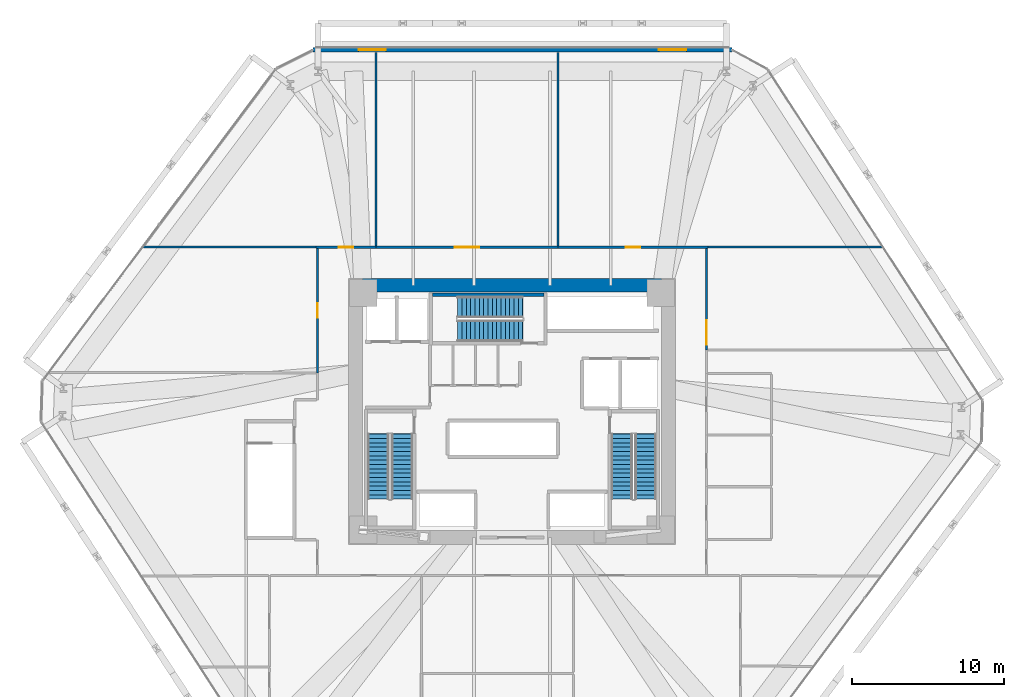
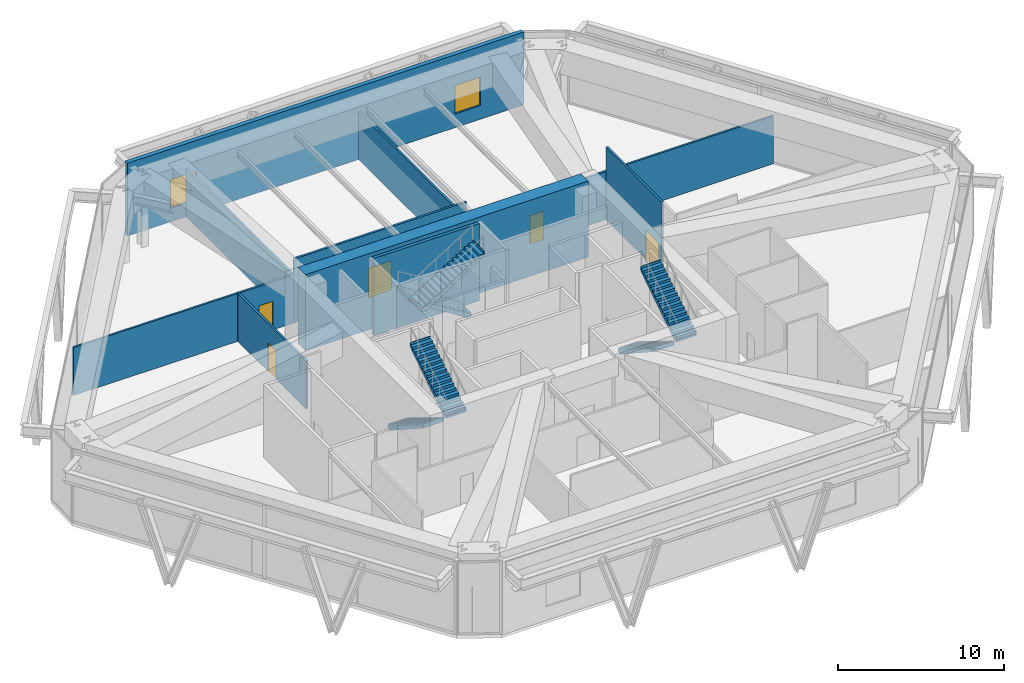
# One storey, part 16 of 19: 12 walls, 6 stair flights, 5 doors, 2 windows, 7 openings, 3 elements without a shape of their own.
"""IFC4 building model written with IfcOpenShell, lengths in metres."""

import ifcopenshell
import ifcopenshell.guid

model = None  # the IFC model being written
_history = None  # IfcOwnerHistory: only IFC2X3 demands one
_inside = {}  # id of a spatial element -> (the spatial element, [elements in it])
_under = {}  # id of a project, library or spatial element -> (it, [spatial elements below it])
_declared = {}  # id of a project -> (the project, [libraries it declares])
_typed = {}  # id of a type object -> (the type object, [elements of that type])
_made_of = {}  # id of a material, layer set ... -> (it, [elements and type objects made of it])


def new_model(schema):
    """Start an empty IFC model of exactly this schema.

    Asked for "IFC4X3", IfcOpenShell would pick the latest addendum, in which some entities
    have other attributes; the version numbers below select the first issue.
    IFC2X3 requires an IfcOwnerHistory on every rooted entity: one is made here for all.
    """
    global model, _history
    if schema == "IFC4X3":
        model = ifcopenshell.file(schema_version=(4, 3, 0, 0))
    else:
        model = ifcopenshell.file(schema=schema)
    _inside.clear()
    _under.clear()
    _declared.clear()
    _typed.clear()
    _made_of.clear()
    _history = None
    if model.schema == "IFC2X3":
        org = make("IfcOrganization", Name="unknown")
        user = make(
            "IfcPersonAndOrganization",
            ThePerson=make("IfcPerson", FamilyName="unknown"),
            TheOrganization=org,
        )
        app = make(
            "IfcApplication",
            ApplicationDeveloper=org,
            Version="unknown",
            ApplicationFullName="unknown",
            ApplicationIdentifier="unknown",
        )
        _history = make(
            "IfcOwnerHistory",
            OwningUser=user,
            OwningApplication=app,
            ChangeAction="ADDED",
            CreationDate=0,
        )
    return model


def make(cls, **values):
    """One entity of the class cls with the attributes given. An attribute that is None is left unset."""
    return model.create_entity(
        cls, **{name: value for name, value in values.items() if value is not None}
    )


def rooted(cls, **values):
    """An entity with a GlobalId (a new one), such as an element, a storey or a relation."""
    return make(cls, GlobalId=ifcopenshell.guid.new(), OwnerHistory=_history, **values)


def si_unit(unit_type, name, prefix=None):
    """IfcSIUnit, for example si_unit("LENGTHUNIT", "METRE", prefix="MILLI")."""
    return make("IfcSIUnit", UnitType=unit_type, Prefix=prefix, Name=name)


def assignment(units):
    """IfcUnitAssignment: the units of a project."""
    return None if units is None else make("IfcUnitAssignment", Units=units)


def point(xyz):
    """IfcCartesianPoint."""
    return None if xyz is None else make("IfcCartesianPoint", Coordinates=xyz)


def direction(xyz):
    """IfcDirection."""
    return None if xyz is None else make("IfcDirection", DirectionRatios=xyz)


def frame(location, z_axis=None, x_axis=None):
    """IfcAxis2Placement3D, a coordinate frame: its origin and axes. An axis left out is left unset."""
    return make(
        "IfcAxis2Placement3D",
        Location=point(location),
        Axis=direction(z_axis),
        RefDirection=direction(x_axis),
    )


def frame_2d(location, x_axis=None):
    """IfcAxis2Placement2D, a coordinate frame in the plane: its origin and x axis."""
    return make(
        "IfcAxis2Placement2D", Location=point(location), RefDirection=direction(x_axis)
    )


def origin():
    """The frame at (0, 0, 0) with its axes left unset."""
    return frame((0.0, 0.0, 0.0))


def place(relative_to, where):
    """IfcLocalPlacement: puts the frame where relative to a parent placement (None: the world)."""
    return make(
        "IfcLocalPlacement", PlacementRelTo=relative_to, RelativePlacement=where
    )


def context(
    kind, dimensions, precision=None, world=None, true_north=None, identifier=None
):
    """IfcGeometricRepresentationContext, for example the 3D "Model" context."""
    return make(
        "IfcGeometricRepresentationContext",
        ContextIdentifier=identifier,
        ContextType=kind,
        CoordinateSpaceDimension=dimensions,
        Precision=precision,
        WorldCoordinateSystem=world,
        TrueNorth=true_north,
    )


def subcontext(parent, identifier, kind, view, scale=None):
    """IfcGeometricRepresentationSubContext, for example "Body" below "Model"."""
    return make(
        "IfcGeometricRepresentationSubContext",
        ContextIdentifier=identifier,
        ContextType=kind,
        ParentContext=parent,
        TargetScale=scale,
        TargetView=view,
    )


def project(units=None, contexts=None):
    """IfcProject with its units and contexts."""
    return rooted(
        "IfcProject",
        Name="project",
        RepresentationContexts=contexts,
        UnitsInContext=assignment(units),
    )


def spatial(cls, under=None, at=None, **own):
    """A site, building, storey or space (cls), placed at a placement, below another one or the project."""
    s = rooted(cls, ObjectPlacement=at, **own)
    if under is not None:
        _under.setdefault(under.id(), (under, []))[1].append(s)
    return s


def polyline(points):
    """IfcPolyline through the points."""
    return make("IfcPolyline", Points=[point(p) for p in points])


def profile(cls, at=None, kind="AREA", **sizes):
    """A parametric profile (cls). Its sizes go by their IFC names, for example OverallWidth=200.0."""
    return make(cls, ProfileType=kind, Position=at, **sizes)


def rectangle(**sizes):
    """IfcRectangleProfileDef."""
    return profile("IfcRectangleProfileDef", **sizes)


def outline(outer, holes=None, kind="AREA"):
    """IfcArbitraryClosedProfileDef: a profile drawn as a closed curve; with holes, ...WithVoids."""
    if holes is None:
        return make("IfcArbitraryClosedProfileDef", ProfileType=kind, OuterCurve=outer)
    return make(
        "IfcArbitraryProfileDefWithVoids",
        ProfileType=kind,
        OuterCurve=outer,
        InnerCurves=holes,
    )


def extrude(swept, where, along, depth):
    """IfcExtrudedAreaSolid: the profile swept, set in the frame where, extruded along a direction by depth."""
    return make(
        "IfcExtrudedAreaSolid",
        SweptArea=swept,
        Position=where,
        ExtrudedDirection=direction(along),
        Depth=depth,
    )


def shape(context_of_items, identifier, shape_type, items):
    """IfcShapeRepresentation: the items that make up one representation, for example the "Body"."""
    return make(
        "IfcShapeRepresentation",
        ContextOfItems=context_of_items,
        RepresentationIdentifier=identifier,
        RepresentationType=shape_type,
        Items=items,
    )


def source(mapping_origin, context_of_items, identifier, shape_type, items):
    """IfcRepresentationMap: a shape defined once, which mapped items show again and again."""
    return make(
        "IfcRepresentationMap",
        MappingOrigin=mapping_origin,
        MappedRepresentation=shape(context_of_items, identifier, shape_type, items),
    )


def transform(
    local_origin,
    x_axis=None,
    y_axis=None,
    z_axis=None,
    scale=None,
    scale2=None,
    scale3=None,
    uniform=True,
):
    """IfcCartesianTransformationOperator3D, or its non-uniform kind. x_axis, y_axis, z_axis: its Axis1, 2, 3."""
    if uniform:
        return make(
            "IfcCartesianTransformationOperator3D",
            Axis1=direction(x_axis),
            Axis2=direction(y_axis),
            LocalOrigin=point(local_origin),
            Scale=scale,
            Axis3=direction(z_axis),
        )
    return make(
        "IfcCartesianTransformationOperator3DnonUniform",
        Axis1=direction(x_axis),
        Axis2=direction(y_axis),
        LocalOrigin=point(local_origin),
        Scale=scale,
        Axis3=direction(z_axis),
        Scale2=scale2,
        Scale3=scale3,
    )


def mapped(mapping_source, mapping_target):
    """IfcMappedItem: shows the shape of a source again, moved by a transform."""
    return make(
        "IfcMappedItem", MappingSource=mapping_source, MappingTarget=mapping_target
    )


def material(Name=None, Category=None):
    """IfcMaterial."""
    return make("IfcMaterial", Name=Name, Category=Category)


def layer(
    of_material, thickness, ventilated=None, Name=None, Category=None, Priority=None
):
    """IfcMaterialLayer: one layer of a wall or slab, of a material (None: an air gap)."""
    return make(
        "IfcMaterialLayer",
        Material=of_material,
        LayerThickness=thickness,
        IsVentilated=ventilated,
        Name=Name,
        Category=Category,
        Priority=Priority,
    )


def layer_set(layers, Name=None):
    """IfcMaterialLayerSet."""
    return make("IfcMaterialLayerSet", MaterialLayers=layers, LayerSetName=Name)


def made_of(thing, what):
    """Note that an element or type object is made of a material, layer set ...; save() writes the relation."""
    if what is not None:
        _made_of.setdefault(what.id(), (what, []))[1].append(thing)
    return thing


def type_object(cls, material=None, **own):
    """A type object (cls), such as IfcWallType, which elements share."""
    return made_of(rooted(cls, **own), material)


def type_shapes(of_type, sources):
    """Give a type object the sources (RepresentationMaps) that its elements show as mapped items."""
    of_type.RepresentationMaps = sources


def element(
    cls,
    number,
    at=None,
    inside=None,
    cuts=None,
    type_object=None,
    material=None,
    context=None,
    identifier="Body",
    shape_type=None,
    held_by="IfcProductDefinitionShape",
    body=None,
    shapes=None,
    **own,
):
    """One element of the class cls, such as IfcWall. Its Tag is "e" and its number.

    at: its placement. inside: the storey or other place that contains it. cuts: it is an
    opening in that element (IfcRelVoidsElement). A single representation is given by context,
    identifier, shape_type and body (its items); several are given by shapes. held_by: the class
    of the entity that holds the representations. save() writes the other relations.
    """
    e = rooted(cls, Tag="e%d" % number, ObjectPlacement=at, **own)
    if body is not None:
        shapes = [shape(context, identifier, shape_type, body)]
    if shapes is not None:
        e.Representation = make(held_by, Representations=shapes)
    if inside is not None:
        _inside.setdefault(inside.id(), (inside, []))[1].append(e)
    if cuts is not None:
        rooted(
            "IfcRelVoidsElement", RelatingBuildingElement=cuts, RelatedOpeningElement=e
        )
    if type_object is not None:
        _typed.setdefault(type_object.id(), (type_object, []))[1].append(e)
    return made_of(e, material)


def fill(opening, filler):
    """IfcRelFillsElement: the door or window that sits in an opening."""
    return rooted(
        "IfcRelFillsElement",
        RelatingOpeningElement=opening,
        RelatedBuildingElement=filler,
    )


def aggregate(whole, parts):
    """IfcRelAggregates: a whole, such as a stair, and the parts it consists of."""
    return rooted("IfcRelAggregates", RelatingObject=whole, RelatedObjects=parts)


def save(model, path):
    """Write the relations noted so far, then the file.

    IfcRelAggregates (storeys below a building ...), IfcRelContainedInSpatialStructure (elements
    in a storey), IfcRelDefinesByType, IfcRelAssociatesMaterial and IfcRelDeclares: one each for
    every whole, place, type object, material and project.
    """
    for whole, parts in _under.values():
        aggregate(whole, parts)
    for where, things in _inside.values():
        rooted(
            "IfcRelContainedInSpatialStructure",
            RelatedElements=things,
            RelatingStructure=where,
        )
    for kind, things in _typed.values():
        rooted("IfcRelDefinesByType", RelatedObjects=things, RelatingType=kind)
    for what, things in _made_of.values():
        rooted("IfcRelAssociatesMaterial", RelatedObjects=things, RelatingMaterial=what)
    for by, libraries in _declared.values():
        rooted("IfcRelDeclares", RelatingContext=by, RelatedDefinitions=libraries)
    model.write(path)


model = new_model("IFC4")

# Units and contexts
model_context = context("Model", 3, precision=1e-05, world=origin(), true_north=direction((0.0, 1.0)))
body_context = subcontext(model_context, "Body", "Model", "MODEL_VIEW")
ifc_project = project(units=[si_unit("LENGTHUNIT", "METRE"), si_unit("AREAUNIT", "SQUARE_METRE"), si_unit("VOLUMEUNIT", "CUBIC_METRE"), si_unit("PLANEANGLEUNIT", "RADIAN"), si_unit("MASSUNIT", "GRAM", prefix="KILO")], contexts=[model_context])

# Site, building, storey
site_placement = place(None, origin())
site = spatial("IfcSite", under=ifc_project, at=site_placement, CompositionType="ELEMENT")
building_placement = place(site_placement, origin())
building = spatial("IfcBuilding", under=site, at=building_placement, Name="Durnholm Broadcast Tower", CompositionType="ELEMENT")
storey_placement = place(building_placement, frame((0.0, 0.0, 26.800048828125)))
storey = spatial("IfcBuildingStorey", under=building, at=storey_placement, Name="L05", CompositionType="ELEMENT", Elevation=26.800048828125)

# Wall
ifc_material_1 = material(Name="Concrete C70/85", Category="concrete")
ifc_layer_1 = layer(ifc_material_1, 0.89990234375)
ifc_layer_set_1 = layer_set([ifc_layer_1], Name="Concrete C70/85")
wall_type_1 = type_object("IfcWallType", Name="WALL-CW-900", PredefinedType="SHEAR", material=ifc_layer_set_1)
wall_1_placement = place(storey_placement, frame((-9.85009765625, 8.300048828125, 0.0), z_axis=(0.0, 0.0, 1.0), x_axis=(1.0, 0.0, 0.0)))
element("IfcWall", 1, at=wall_1_placement, inside=storey, type_object=wall_type_1, Name="L05 central core shear wall CW-N", PredefinedType="SHEAR", context=body_context, shape_type="SweptSolid", body=[
    extrude(rectangle(XDim=19.7001953125, YDim=0.89990234375, at=frame_2d((9.85009765625, 0.0))), origin(), (0.0, 0.0, 1.0), 5.599853515625),
])

# Wall, openings, windows
ifc_material_2 = material(Name="Precast Concrete C45/55", Category="concrete")
ifc_layer_2 = layer(ifc_material_2, 0.300048828125)
ifc_layer_set_2 = layer_set([ifc_layer_2], Name="Precast Concrete C45/55")
wall_type_2 = type_object("IfcWallType", Name="WALL-EXT-300", PredefinedType="SOLIDWALL", material=ifc_layer_set_2)
wall_2_placement = place(storey_placement, frame((-13.102783203125, 23.800048828125, 0.0), z_axis=(0.0, 0.0, 1.0), x_axis=(1.0, 0.0, 0.0)))
wall_2 = element("IfcWall", 2, at=wall_2_placement, inside=storey, type_object=wall_type_2, Name="L05 broadcast studio acoustic facade wall 04", PredefinedType="SOLIDWALL", context=body_context, shape_type="SweptSolid", body=[
    extrude(rectangle(XDim=27.577880859375, YDim=0.300048828125, at=frame_2d((13.7890625, 0.0))), origin(), (0.0, 0.0, 1.0), 5.35986328125),
])
opening_1_placement = place(wall_2_placement, frame((3.0, 0.0, 1.0)))
opening_1 = element("IfcOpeningElement", 3, at=opening_1_placement, cuts=wall_2, Name="Opening W2", PredefinedType="OPENING", context=body_context, shape_type="SweptSolid", body=[
    extrude(rectangle(XDim=1.800048828125, YDim=2.10009765625, at=frame_2d((0.89990234375, 1.050048828125))), frame((0.0, 0.16015625, 0.0), z_axis=(0.0, -1.0, 0.0), x_axis=(1.0, 0.0, 0.0)), (0.0, 0.0, 1.0), 0.320068359375),
])
opening_2_placement = place(wall_2_placement, frame((22.778076171875, 0.0, 1.0)))
opening_2 = element("IfcOpeningElement", 4, at=opening_2_placement, cuts=wall_2, Name="Opening W2", PredefinedType="OPENING", context=body_context, shape_type="SweptSolid", body=[
    extrude(rectangle(XDim=1.800048828125, YDim=2.10009765625, at=frame_2d((0.89990234375, 1.050048828125))), frame((0.0, 0.16015625, 0.0), z_axis=(0.0, -1.0, 0.0), x_axis=(1.0, 0.0, 0.0)), (0.0, 0.0, 1.0), 0.320068359375),
])
ifc_material_3 = material(Name="Thermally Broken Aluminium and Laminated Glass", Category="aluminium")
ifc_layer_3 = layer(ifc_material_3, 0.06005859375)
ifc_layer_set_3 = layer_set([ifc_layer_3], Name="Thermally Broken Aluminium and Laminated Glass")
window_type = type_object("IfcWindowType", Name="WIN-W2", PartitioningType="DOUBLE_PANEL_VERTICAL", PredefinedType="WINDOW", material=ifc_layer_set_3)
shared_shape_1 = source(origin(), body_context, "Body", "SweptSolid", [
    extrude(rectangle(XDim=1.800048828125, YDim=2.10009765625, at=frame_2d((0.89990234375, 1.050048828125))), frame((0.0, 0.030029296875, 0.0), z_axis=(0.0, -1.0, 0.0), x_axis=(1.0, 0.0, 0.0)), (0.0, 0.0, 1.0), 0.06005859375),
])
type_shapes(window_type, [shared_shape_1])
window_1_placement = place(opening_1_placement, origin())
window_1 = element("IfcWindow", 5, at=window_1_placement, inside=storey, type_object=window_type, Name="L05 studio acoustic window 04.1", OverallHeight=2.10009765625, OverallWidth=1.800048828125, PartitioningType="DOUBLE_PANEL_VERTICAL", PredefinedType="WINDOW", context=body_context, shape_type="MappedRepresentation", body=[
    mapped(shared_shape_1, transform((0.0, 0.0, 0.0), x_axis=(1.0, 0.0, 0.0), y_axis=(0.0, 1.0, 0.0), z_axis=(0.0, 0.0, 1.0), scale=1.0)),
])
fill(opening_1, window_1)
window_2_placement = place(opening_2_placement, origin())
window_2 = element("IfcWindow", 6, at=window_2_placement, inside=storey, type_object=window_type, Name="L05 studio acoustic window 04.2", OverallHeight=2.10009765625, OverallWidth=1.800048828125, PartitioningType="DOUBLE_PANEL_VERTICAL", PredefinedType="WINDOW", context=body_context, shape_type="MappedRepresentation", body=[
    mapped(shared_shape_1, transform((0.0, 0.0, 0.0), x_axis=(1.0, 0.0, 0.0), y_axis=(0.0, 1.0, 0.0), z_axis=(0.0, 0.0, 1.0), scale=1.0)),
])
fill(opening_2, window_2)

# Walls
ifc_material_4 = material(Name="Gypsum Metal Stud Partition", Category="concrete")
ifc_layer_4 = layer(ifc_material_4, 0.135009765625)
ifc_layer_set_4 = layer_set([ifc_layer_4], Name="Gypsum Metal Stud Partition")
wall_type_3 = type_object("IfcWallType", Name="WALL-PART-135", PredefinedType="PARTITIONING", material=ifc_layer_set_4)
wall_3_placement = place(storey_placement, frame((-8.9599609375, 23.64501953125, 0.0), z_axis=(0.0, 0.0, 1.0), x_axis=(0.0, -1.0, 0.0)))
element("IfcWall", 7, at=wall_3_placement, inside=storey, type_object=wall_type_3, Name="L05 room dividing partition 8.9", PredefinedType="PARTITIONING", context=body_context, shape_type="SweptSolid", body=[
    extrude(rectangle(XDim=12.756103515625, YDim=0.135009765625, at=frame_2d((6.3779296875, 0.0))), origin(), (0.0, 0.0, 1.0), 3.530029296875),
])
wall_4_placement = place(storey_placement, frame((-12.889892578125, 10.810302734375, 0.0), z_axis=(0.0, 0.0, 1.0), x_axis=(-0.999997852069, 0.002072645121, 0.0)))
element("IfcWall", 8, at=wall_4_placement, inside=storey, type_object=wall_type_3, Name="L05 room dividing partition 8.20", PredefinedType="PARTITIONING", context=body_context, shape_type="SweptSolid", body=[
    extrude(rectangle(XDim=11.42578125, YDim=0.135009765625, at=frame_2d((5.712890625, 0.0))), origin(), (0.0, 0.0, 1.0), 3.530029296875),
])
wall_5_placement = place(storey_placement, frame((3.0400390625, 23.64501953125, 0.0), z_axis=(0.0, 0.0, 1.0), x_axis=(0.0, -1.0, 0.0)))
element("IfcWall", 9, at=wall_5_placement, inside=storey, type_object=wall_type_3, Name="L05 room dividing partition 9.10", PredefinedType="PARTITIONING", context=body_context, shape_type="SweptSolid", body=[
    extrude(rectangle(XDim=12.756103515625, YDim=0.135009765625, at=frame_2d((6.3779296875, 0.0))), origin(), (0.0, 0.0, 1.0), 3.530029296875),
])
wall_6_placement = place(storey_placement, frame((24.421630859375, 10.831787109375, 0.0), z_axis=(0.0, 0.0, 1.0), x_axis=(-0.999998264499, -0.001863061508, 0.0)))
element("IfcWall", 10, at=wall_6_placement, inside=storey, type_object=wall_type_3, Name="L05 room dividing partition 10.22", PredefinedType="PARTITIONING", context=body_context, shape_type="SweptSolid", body=[
    extrude(rectangle(XDim=11.53173828125, YDim=0.135009765625, at=frame_2d((5.765869140625, 0.0))), origin(), (0.0, 0.0, 1.0), 3.530029296875),
])

# Wall, opening, door
ifc_material_5 = material(Name="Acoustic Gypsum Stud Partition", Category="concrete")
ifc_layer_5 = layer(ifc_material_5, 0.14990234375)
ifc_layer_set_5 = layer_set([ifc_layer_5], Name="Acoustic Gypsum Stud Partition")
wall_type_4 = type_object("IfcWallType", Name="WALL-PART-150", PredefinedType="PARTITIONING", material=ifc_layer_set_5)
wall_7_placement = place(storey_placement, frame((-8.9599609375, 10.81005859375, 0.0), z_axis=(0.0, 0.0, 1.0), x_axis=(-1.0, 0.0, 0.0)))
wall_7 = element("IfcWall", 11, at=wall_7_placement, inside=storey, type_object=wall_type_4, Name="L05 Open Plan Broadcast Workspace 2 corridor partition", PredefinedType="PARTITIONING", context=body_context, shape_type="SweptSolid", body=[
    extrude(rectangle(XDim=3.929931640625, YDim=0.14990234375, at=frame_2d((1.96484375, 0.0))), origin(), (0.0, 0.0, 1.0), 3.530029296875),
])
opening_3_placement = place(wall_7_placement, frame((1.489990234375, 0.0, 0.0)))
opening_3 = element("IfcOpeningElement", 12, at=opening_3_placement, cuts=wall_7, Name="Opening DR-95R", PredefinedType="OPENING", context=body_context, shape_type="SweptSolid", body=[
    extrude(rectangle(XDim=0.949951171875, YDim=2.10009765625, at=frame_2d((0.47509765625, 1.050048828125))), frame((0.0, 0.0849609375, 0.0), z_axis=(0.0, -1.0, 0.0), x_axis=(1.0, 0.0, 0.0)), (0.0, 0.0, 1.0), 0.169921875),
])
ifc_material_6 = material(Name="Acoustic Oak Veneer Timber Door", Category="wood")
ifc_layer_6 = layer(ifc_material_6, 0.050048828125)
ifc_layer_set_6 = layer_set([ifc_layer_6], Name="Acoustic Oak Veneer Timber Door")
door_type_1 = type_object("IfcDoorType", Name="DOOR-RM-950R", OperationType="NOTDEFINED", PredefinedType="DOOR", material=ifc_layer_set_6)
shared_shape_2 = source(origin(), body_context, "Body", "SweptSolid", [
    extrude(rectangle(XDim=0.949951171875, YDim=2.10009765625, at=frame_2d((0.47509765625, 1.050048828125))), frame((0.0, 0.02490234375, 0.0), z_axis=(0.0, -1.0, 0.0), x_axis=(1.0, 0.0, 0.0)), (0.0, 0.0, 1.0), 0.050048828125),
])
type_shapes(door_type_1, [shared_shape_2])
door_1_placement = place(opening_3_placement, origin())
door_1 = element("IfcDoor", 13, at=door_1_placement, inside=storey, type_object=door_type_1, Name="L05 Open Plan Broadcast Workspace 2 entrance door", OperationType="SINGLE_SWING_RIGHT", OverallHeight=2.10009765625, OverallWidth=0.949951171875, PredefinedType="DOOR", context=body_context, shape_type="MappedRepresentation", body=[
    mapped(shared_shape_2, transform((0.0, 0.0, 0.0), x_axis=(1.0, 0.0, 0.0), y_axis=(0.0, 1.0, 0.0), z_axis=(0.0, 0.0, 1.0), scale=1.0)),
])
fill(opening_3, door_1)

wall_8_placement = place(storey_placement, frame((3.0400390625, 10.81005859375, 0.0), z_axis=(0.0, 0.0, 1.0), x_axis=(-1.0, 0.0, 0.0)))
wall_8 = element("IfcWall", 14, at=wall_8_placement, inside=storey, type_object=wall_type_4, Name="L05 Orchestra Recording Hall 5A corridor partition", PredefinedType="PARTITIONING", context=body_context, shape_type="SweptSolid", body=[
    extrude(rectangle(XDim=12.0, YDim=0.14990234375, at=frame_2d((6.0, 0.0))), origin(), (0.0, 0.0, 1.0), 4.692626953125),
])
opening_4_placement = place(wall_8_placement, frame((5.199951171875, 0.0, 0.0)))
opening_4 = element("IfcOpeningElement", 15, at=opening_4_placement, cuts=wall_8, Name="Opening DST-160", PredefinedType="OPENING", context=body_context, shape_type="SweptSolid", body=[
    extrude(rectangle(XDim=1.60009765625, YDim=2.14990234375, at=frame_2d((0.800048828125, 1.074951171875))), frame((0.0, 0.0849609375, 0.0), z_axis=(0.0, -1.0, 0.0), x_axis=(1.0, 0.0, 0.0)), (0.0, 0.0, 1.0), 0.169921875),
])
ifc_material_7 = material(Name="Acoustic Broadcast Studio Sound-Lock Door", Category="steel")
ifc_layer_7 = layer(ifc_material_7, 0.050048828125)
ifc_layer_set_7 = layer_set([ifc_layer_7], Name="Acoustic Broadcast Studio Sound-Lock Door")
door_type_2 = type_object("IfcDoorType", Name="DOOR-STU-1600", OperationType="DOUBLE_DOOR_SINGLE_SWING", PredefinedType="DOOR", material=ifc_layer_set_7)
shared_shape_3 = source(origin(), body_context, "Body", "SweptSolid", [
    extrude(rectangle(XDim=1.60009765625, YDim=2.14990234375, at=frame_2d((0.800048828125, 1.074951171875))), frame((0.0, 0.02490234375, 0.0), z_axis=(0.0, -1.0, 0.0), x_axis=(1.0, 0.0, 0.0)), (0.0, 0.0, 1.0), 0.050048828125),
])
type_shapes(door_type_2, [shared_shape_3])
door_2_placement = place(opening_4_placement, origin())
door_2 = element("IfcDoor", 16, at=door_2_placement, inside=storey, type_object=door_type_2, Name="L05 Orchestra Recording Hall 5A entrance door", OperationType="DOUBLE_DOOR_SINGLE_SWING", OverallHeight=2.14990234375, OverallWidth=1.60009765625, PredefinedType="DOOR", context=body_context, shape_type="MappedRepresentation", body=[
    mapped(shared_shape_3, transform((0.0, 0.0, 0.0), x_axis=(1.0, 0.0, 0.0), y_axis=(0.0, 1.0, 0.0), z_axis=(0.0, 0.0, 1.0), scale=1.0)),
])
fill(opening_4, door_2)

wall_9_placement = place(storey_placement, frame((12.889892578125, 10.81005859375, 0.0), z_axis=(0.0, 0.0, 1.0), x_axis=(-1.0, 0.0, 0.0)))
wall_9 = element("IfcWall", 17, at=wall_9_placement, inside=storey, type_object=wall_type_4, Name="L05 Foley Recording Office corridor partition", PredefinedType="PARTITIONING", context=body_context, shape_type="SweptSolid", body=[
    extrude(rectangle(XDim=9.849853515625, YDim=0.14990234375, at=frame_2d((4.9248046875, 0.0))), origin(), (0.0, 0.0, 1.0), 3.530029296875),
])
opening_5_placement = place(wall_9_placement, frame((4.449951171875, 0.0, 0.0)))
opening_5 = element("IfcOpeningElement", 18, at=opening_5_placement, cuts=wall_9, Name="Opening DR-95R", PredefinedType="OPENING", context=body_context, shape_type="SweptSolid", body=[
    extrude(rectangle(XDim=0.949951171875, YDim=2.10009765625, at=frame_2d((0.47509765625, 1.050048828125))), frame((0.0, 0.0849609375, 0.0), z_axis=(0.0, -1.0, 0.0), x_axis=(1.0, 0.0, 0.0)), (0.0, 0.0, 1.0), 0.169921875),
])
door_3_placement = place(opening_5_placement, origin())
door_3 = element("IfcDoor", 19, at=door_3_placement, inside=storey, type_object=door_type_1, Name="L05 Foley Recording Office entrance door", OperationType="SINGLE_SWING_RIGHT", OverallHeight=2.10009765625, OverallWidth=0.949951171875, PredefinedType="DOOR", context=body_context, shape_type="MappedRepresentation", body=[
    mapped(shared_shape_2, transform((0.0, 0.0, 0.0), x_axis=(1.0, 0.0, 0.0), y_axis=(0.0, 1.0, 0.0), z_axis=(0.0, 0.0, 1.0), scale=1.0)),
])
fill(opening_5, door_3)

wall_10_placement = place(storey_placement, frame((-12.81005859375, 10.73095703125, 0.0), z_axis=(0.0, 0.0, 1.0), x_axis=(0.0, -1.0, 0.0)))
wall_10 = element("IfcWall", 20, at=wall_10_placement, inside=storey, type_object=wall_type_4, Name="L05 Stage Manager Office corridor partition", PredefinedType="PARTITIONING", context=body_context, shape_type="SweptSolid", body=[
    extrude(rectangle(XDim=8.19091796875, YDim=0.14990234375, at=frame_2d((4.095458984375, 0.0))), origin(), (0.0, 0.0, 1.0), 3.530029296875),
])
opening_6_placement = place(wall_10_placement, frame((3.62060546875, 0.0, 0.0)))
opening_6 = element("IfcOpeningElement", 21, at=opening_6_placement, cuts=wall_10, Name="Opening DR-95L", PredefinedType="OPENING", context=body_context, shape_type="SweptSolid", body=[
    extrude(rectangle(XDim=0.949951171875, YDim=2.10009765625, at=frame_2d((0.47509765625, 1.050048828125))), frame((0.0, 0.0849609375, 0.0), z_axis=(0.0, -1.0, 0.0), x_axis=(1.0, 0.0, 0.0)), (0.0, 0.0, 1.0), 0.169921875),
])
ifc_layer_8 = layer(ifc_material_6, 0.050048828125)
ifc_layer_set_8 = layer_set([ifc_layer_8], Name="Acoustic Oak Veneer Timber Door")
door_type_3 = type_object("IfcDoorType", Name="DOOR-RM-950L", OperationType="NOTDEFINED", PredefinedType="DOOR", material=ifc_layer_set_8)
shared_shape_4 = source(origin(), body_context, "Body", "SweptSolid", [
    extrude(rectangle(XDim=0.949951171875, YDim=2.10009765625, at=frame_2d((0.47509765625, 1.050048828125))), frame((0.0, 0.02490234375, 0.0), z_axis=(0.0, -1.0, 0.0), x_axis=(1.0, 0.0, 0.0)), (0.0, 0.0, 1.0), 0.050048828125),
])
type_shapes(door_type_3, [shared_shape_4])
door_4_placement = place(opening_6_placement, origin())
door_4 = element("IfcDoor", 22, at=door_4_placement, inside=storey, type_object=door_type_3, Name="L05 Stage Manager Office entrance door", OperationType="SINGLE_SWING_LEFT", OverallHeight=2.10009765625, OverallWidth=0.949951171875, PredefinedType="DOOR", context=body_context, shape_type="MappedRepresentation", body=[
    mapped(shared_shape_4, transform((0.0, 0.0, 0.0), x_axis=(1.0, 0.0, 0.0), y_axis=(0.0, 1.0, 0.0), z_axis=(0.0, 0.0, 1.0), scale=1.0)),
])
fill(opening_6, door_4)

wall_11_placement = place(storey_placement, frame((12.81005859375, 4.0400390625, 0.0), z_axis=(0.0, 0.0, 1.0), x_axis=(0.0, 1.0, 0.0)))
wall_11 = element("IfcWall", 23, at=wall_11_placement, inside=storey, type_object=wall_type_4, Name="L05 Press Screening Auditorium corridor partition", PredefinedType="PARTITIONING", context=body_context, shape_type="SweptSolid", body=[
    extrude(rectangle(XDim=6.69091796875, YDim=0.14990234375, at=frame_2d((3.345458984375, 0.0))), origin(), (0.0, 0.0, 1.0), 5.344970703125),
])
opening_7_placement = place(wall_11_placement, frame((0.35009765625, 0.0, 0.0)))
opening_7 = element("IfcOpeningElement", 24, at=opening_7_placement, cuts=wall_11, Name="Opening DST-160", PredefinedType="OPENING", context=body_context, shape_type="SweptSolid", body=[
    extrude(rectangle(XDim=1.60009765625, YDim=2.14990234375, at=frame_2d((0.800048828125, 1.074951171875))), frame((0.0, 0.0849609375, 0.0), z_axis=(0.0, -1.0, 0.0), x_axis=(1.0, 0.0, 0.0)), (0.0, 0.0, 1.0), 0.169921875),
])
door_5_placement = place(opening_7_placement, origin())
door_5 = element("IfcDoor", 25, at=door_5_placement, inside=storey, type_object=door_type_2, Name="L05 Press Screening Auditorium entrance door", OperationType="DOUBLE_DOOR_SINGLE_SWING", OverallHeight=2.14990234375, OverallWidth=1.60009765625, PredefinedType="DOOR", context=body_context, shape_type="MappedRepresentation", body=[
    mapped(shared_shape_3, transform((0.0, 0.0, 0.0), x_axis=(1.0, 0.0, 0.0), y_axis=(0.0, 1.0, 0.0), z_axis=(0.0, 0.0, 1.0), scale=1.0)),
])
fill(opening_7, door_5)

# Wall
ifc_material_8 = material(Name="Concrete C50/60", Category="concrete")
ifc_layer_9 = layer(ifc_material_8, 0.219970703125)
ifc_layer_set_9 = layer_set([ifc_layer_9], Name="Concrete C50/60")
wall_type_5 = type_object("IfcWallType", Name="WALL-SW-220", PredefinedType="SHEAR", material=ifc_layer_set_9)
wall_12_placement = place(storey_placement, frame((2.10009765625, 7.669921875, -0.320068359375), z_axis=(0.0, 0.0, 1.0), x_axis=(-1.0, 0.0, 0.0)))
element("IfcWall", 26, at=wall_12_placement, inside=storey, type_object=wall_type_5, Name="L05 stair ST-3 structural shaft wall N", PredefinedType="SHEAR", context=body_context, shape_type="SweptSolid", body=[
    extrude(rectangle(XDim=7.35009765625, YDim=0.219970703125, at=frame_2d((3.675048828125, 0.0))), origin(), (0.0, 0.0, 1.0), 5.679931640625),
])

# Stair, stair flights
stair_type = type_object("IfcStairType", Name="STAIR-DL-32R1750", PredefinedType="HALF_TURN_STAIR", material=ifc_material_8)
stair_1_placement = place(storey_placement, origin())
stair_1 = element("IfcStair", 27, at=stair_1_placement, inside=storey, type_object=stair_type, Name="L05 ST-1", PredefinedType="HALF_TURN_STAIR")
stair_flight_type = type_object("IfcStairFlightType", Name="FLIGHT-DL-32R1750", PredefinedType="STRAIGHT", material=ifc_material_8)
stair_flight_1_placement = place(storey_placement, frame((-8.800048828125, -1.5, 0.0), z_axis=(0.0, 0.0, 1.0), x_axis=(0.0, -1.0, 0.0)))
stair_flight_1 = element("IfcStairFlight", 28, at=stair_flight_1_placement, type_object=stair_flight_type, Name="ST-1 flight 1", NumberOfRisers=16, NumberOfTreads=15, PredefinedType="STRAIGHT", RiserHeight=0.175, TreadLength=0.285, context=body_context, shape_type="SweptSolid", body=[
    extrude(outline(polyline([(-0.0400390625, -0.14990234375), (-0.0400390625, 0.0), (0.0, 0.0), (0.0, 0.175048828125), (0.284912109375, 0.175048828125), (0.284912109375, 0.35009765625), (0.570068359375, 0.35009765625), (0.570068359375, 0.52490234375), (0.85498046875, 0.52490234375), (0.85498046875, 0.699951171875), (1.139892578125, 0.699951171875), (1.139892578125, 0.875), (1.425048828125, 0.875), (1.425048828125, 1.050048828125), (1.7099609375, 1.050048828125), (1.7099609375, 1.22509765625), (1.9951171875, 1.22509765625), (1.9951171875, 1.39990234375), (2.280029296875, 1.39990234375), (2.280029296875, 1.574951171875), (2.56494140625, 1.574951171875), (2.56494140625, 1.75), (2.85009765625, 1.75), (2.85009765625, 1.925048828125), (3.135009765625, 1.925048828125), (3.135009765625, 2.10009765625), (3.419921875, 2.10009765625), (3.419921875, 2.27490234375), (3.705078125, 2.27490234375), (3.705078125, 2.449951171875), (3.989990234375, 2.449951171875), (3.989990234375, 2.625), (4.27490234375, 2.625), (4.27490234375, 2.800048828125), (4.31494140625, 2.800048828125), (4.31494140625, 2.650146484375), (4.27490234375, 2.448974609375), (0.286376953125, -0.14990234375), (-0.0400390625, -0.14990234375)])), frame((0.0, 0.699951171875, 0.0), z_axis=(0.0, -1.0, 0.0), x_axis=(1.0, 0.0, 0.0)), (0.0, 0.0, 1.0), 1.39990234375),
])
stair_flight_2_placement = place(storey_placement, frame((-7.239990234375, -5.77490234375, 2.800048828125), z_axis=(0.0, 0.0, 1.0), x_axis=(0.0, 1.0, 0.0)))
stair_flight_2 = element("IfcStairFlight", 29, at=stair_flight_2_placement, type_object=stair_flight_type, Name="ST-1 flight 2", NumberOfRisers=16, NumberOfTreads=15, PredefinedType="STRAIGHT", RiserHeight=0.175, TreadLength=0.285, context=body_context, shape_type="SweptSolid", body=[
    extrude(outline(polyline([(-0.0400390625, -0.14990234375), (-0.0400390625, 0.0), (0.0, 0.0), (0.0, 0.175048828125), (0.284912109375, 0.175048828125), (0.284912109375, 0.35009765625), (0.570068359375, 0.35009765625), (0.570068359375, 0.52490234375), (0.85498046875, 0.52490234375), (0.85498046875, 0.699951171875), (1.139892578125, 0.699951171875), (1.139892578125, 0.875), (1.425048828125, 0.875), (1.425048828125, 1.050048828125), (1.7099609375, 1.050048828125), (1.7099609375, 1.22509765625), (1.9951171875, 1.22509765625), (1.9951171875, 1.39990234375), (2.280029296875, 1.39990234375), (2.280029296875, 1.574951171875), (2.56494140625, 1.574951171875), (2.56494140625, 1.75), (2.85009765625, 1.75), (2.85009765625, 1.925048828125), (3.135009765625, 1.925048828125), (3.135009765625, 2.10009765625), (3.419921875, 2.10009765625), (3.419921875, 2.27490234375), (3.705078125, 2.27490234375), (3.705078125, 2.449951171875), (3.989990234375, 2.449951171875), (3.989990234375, 2.625), (4.27490234375, 2.625), (4.27490234375, 2.800048828125), (4.31494140625, 2.800048828125), (4.31494140625, 2.650146484375), (4.27490234375, 2.448974609375), (0.286376953125, -0.14990234375), (-0.0400390625, -0.14990234375)])), frame((0.0, 0.699951171875, 0.0), z_axis=(0.0, -1.0, 0.0), x_axis=(1.0, 0.0, 0.0)), (0.0, 0.0, 1.0), 1.39990234375),
])
aggregate(stair_1, [stair_flight_1, stair_flight_2])

stair_2_placement = place(storey_placement, origin())
stair_2 = element("IfcStair", 30, at=stair_2_placement, inside=storey, type_object=stair_type, Name="L05 ST-2", PredefinedType="HALF_TURN_STAIR")
stair_flight_3_placement = place(storey_placement, frame((7.239990234375, -1.5, 0.0), z_axis=(0.0, 0.0, 1.0), x_axis=(0.0, -1.0, 0.0)))
stair_flight_3 = element("IfcStairFlight", 31, at=stair_flight_3_placement, type_object=stair_flight_type, Name="ST-2 flight 1", NumberOfRisers=16, NumberOfTreads=15, PredefinedType="STRAIGHT", RiserHeight=0.175, TreadLength=0.285, context=body_context, shape_type="SweptSolid", body=[
    extrude(outline(polyline([(-0.0400390625, -0.14990234375), (-0.0400390625, 0.0), (0.0, 0.0), (0.0, 0.175048828125), (0.284912109375, 0.175048828125), (0.284912109375, 0.35009765625), (0.570068359375, 0.35009765625), (0.570068359375, 0.52490234375), (0.85498046875, 0.52490234375), (0.85498046875, 0.699951171875), (1.139892578125, 0.699951171875), (1.139892578125, 0.875), (1.425048828125, 0.875), (1.425048828125, 1.050048828125), (1.7099609375, 1.050048828125), (1.7099609375, 1.22509765625), (1.9951171875, 1.22509765625), (1.9951171875, 1.39990234375), (2.280029296875, 1.39990234375), (2.280029296875, 1.574951171875), (2.56494140625, 1.574951171875), (2.56494140625, 1.75), (2.85009765625, 1.75), (2.85009765625, 1.925048828125), (3.135009765625, 1.925048828125), (3.135009765625, 2.10009765625), (3.419921875, 2.10009765625), (3.419921875, 2.27490234375), (3.705078125, 2.27490234375), (3.705078125, 2.449951171875), (3.989990234375, 2.449951171875), (3.989990234375, 2.625), (4.27490234375, 2.625), (4.27490234375, 2.800048828125), (4.31494140625, 2.800048828125), (4.31494140625, 2.650146484375), (4.27490234375, 2.448974609375), (0.286376953125, -0.14990234375), (-0.0400390625, -0.14990234375)])), frame((0.0, 0.699951171875, 0.0), z_axis=(0.0, -1.0, 0.0), x_axis=(1.0, 0.0, 0.0)), (0.0, 0.0, 1.0), 1.39990234375),
])
stair_flight_4_placement = place(storey_placement, frame((8.800048828125, -5.77490234375, 2.800048828125), z_axis=(0.0, 0.0, 1.0), x_axis=(0.0, 1.0, 0.0)))
stair_flight_4 = element("IfcStairFlight", 32, at=stair_flight_4_placement, type_object=stair_flight_type, Name="ST-2 flight 2", NumberOfRisers=16, NumberOfTreads=15, PredefinedType="STRAIGHT", RiserHeight=0.175, TreadLength=0.285, context=body_context, shape_type="SweptSolid", body=[
    extrude(outline(polyline([(-0.0400390625, -0.14990234375), (-0.0400390625, 0.0), (0.0, 0.0), (0.0, 0.175048828125), (0.284912109375, 0.175048828125), (0.284912109375, 0.35009765625), (0.570068359375, 0.35009765625), (0.570068359375, 0.52490234375), (0.85498046875, 0.52490234375), (0.85498046875, 0.699951171875), (1.139892578125, 0.699951171875), (1.139892578125, 0.875), (1.425048828125, 0.875), (1.425048828125, 1.050048828125), (1.7099609375, 1.050048828125), (1.7099609375, 1.22509765625), (1.9951171875, 1.22509765625), (1.9951171875, 1.39990234375), (2.280029296875, 1.39990234375), (2.280029296875, 1.574951171875), (2.56494140625, 1.574951171875), (2.56494140625, 1.75), (2.85009765625, 1.75), (2.85009765625, 1.925048828125), (3.135009765625, 1.925048828125), (3.135009765625, 2.10009765625), (3.419921875, 2.10009765625), (3.419921875, 2.27490234375), (3.705078125, 2.27490234375), (3.705078125, 2.449951171875), (3.989990234375, 2.449951171875), (3.989990234375, 2.625), (4.27490234375, 2.625), (4.27490234375, 2.800048828125), (4.31494140625, 2.800048828125), (4.31494140625, 2.650146484375), (4.27490234375, 2.448974609375), (0.286376953125, -0.14990234375), (-0.0400390625, -0.14990234375)])), frame((0.0, 0.699951171875, 0.0), z_axis=(0.0, -1.0, 0.0), x_axis=(1.0, 0.0, 0.0)), (0.0, 0.0, 1.0), 1.39990234375),
])
aggregate(stair_2, [stair_flight_3, stair_flight_4])

stair_3_placement = place(storey_placement, origin())
stair_3 = element("IfcStair", 33, at=stair_3_placement, inside=storey, type_object=stair_type, Name="L05 ST-3", PredefinedType="HALF_TURN_STAIR")
stair_flight_5_placement = place(storey_placement, frame((0.699951171875, 6.860107421875, 0.0), z_axis=(0.0, 0.0, 1.0), x_axis=(-1.0, 0.0, 0.0)))
stair_flight_5 = element("IfcStairFlight", 34, at=stair_flight_5_placement, type_object=stair_flight_type, Name="ST-3 flight 1", NumberOfRisers=16, NumberOfTreads=15, PredefinedType="STRAIGHT", RiserHeight=0.175, TreadLength=0.285, context=body_context, shape_type="SweptSolid", body=[
    extrude(outline(polyline([(-0.0400390625, -0.14990234375), (-0.0400390625, 0.0), (0.0, 0.0), (0.0, 0.175048828125), (0.284912109375, 0.175048828125), (0.284912109375, 0.35009765625), (0.570068359375, 0.35009765625), (0.570068359375, 0.52490234375), (0.85498046875, 0.52490234375), (0.85498046875, 0.699951171875), (1.139892578125, 0.699951171875), (1.139892578125, 0.875), (1.425048828125, 0.875), (1.425048828125, 1.050048828125), (1.7099609375, 1.050048828125), (1.7099609375, 1.22509765625), (1.9951171875, 1.22509765625), (1.9951171875, 1.39990234375), (2.280029296875, 1.39990234375), (2.280029296875, 1.574951171875), (2.56494140625, 1.574951171875), (2.56494140625, 1.75), (2.85009765625, 1.75), (2.85009765625, 1.925048828125), (3.135009765625, 1.925048828125), (3.135009765625, 2.10009765625), (3.419921875, 2.10009765625), (3.419921875, 2.27490234375), (3.705078125, 2.27490234375), (3.705078125, 2.449951171875), (3.989990234375, 2.449951171875), (3.989990234375, 2.625), (4.27490234375, 2.625), (4.27490234375, 2.800048828125), (4.31494140625, 2.800048828125), (4.31494140625, 2.650146484375), (4.27490234375, 2.448974609375), (0.286376953125, -0.14990234375), (-0.0400390625, -0.14990234375)])), frame((0.0, 0.699951171875, 0.0), z_axis=(0.0, -1.0, 0.0), x_axis=(1.0, 0.0, 0.0)), (0.0, 0.0, 1.0), 1.39990234375),
])
stair_flight_6_placement = place(storey_placement, frame((-3.574951171875, 5.300048828125, 2.800048828125), z_axis=(0.0, 0.0, 1.0), x_axis=(1.0, 0.0, 0.0)))
stair_flight_6 = element("IfcStairFlight", 35, at=stair_flight_6_placement, type_object=stair_flight_type, Name="ST-3 flight 2", NumberOfRisers=16, NumberOfTreads=15, PredefinedType="STRAIGHT", RiserHeight=0.175, TreadLength=0.285, context=body_context, shape_type="SweptSolid", body=[
    extrude(outline(polyline([(-0.0400390625, -0.14990234375), (-0.0400390625, 0.0), (0.0, 0.0), (0.0, 0.175048828125), (0.284912109375, 0.175048828125), (0.284912109375, 0.35009765625), (0.570068359375, 0.35009765625), (0.570068359375, 0.52490234375), (0.85498046875, 0.52490234375), (0.85498046875, 0.699951171875), (1.139892578125, 0.699951171875), (1.139892578125, 0.875), (1.425048828125, 0.875), (1.425048828125, 1.050048828125), (1.7099609375, 1.050048828125), (1.7099609375, 1.22509765625), (1.9951171875, 1.22509765625), (1.9951171875, 1.39990234375), (2.280029296875, 1.39990234375), (2.280029296875, 1.574951171875), (2.56494140625, 1.574951171875), (2.56494140625, 1.75), (2.85009765625, 1.75), (2.85009765625, 1.925048828125), (3.135009765625, 1.925048828125), (3.135009765625, 2.10009765625), (3.419921875, 2.10009765625), (3.419921875, 2.27490234375), (3.705078125, 2.27490234375), (3.705078125, 2.449951171875), (3.989990234375, 2.449951171875), (3.989990234375, 2.625), (4.27490234375, 2.625), (4.27490234375, 2.800048828125), (4.31494140625, 2.800048828125), (4.31494140625, 2.650146484375), (4.27490234375, 2.448974609375), (0.286376953125, -0.14990234375), (-0.0400390625, -0.14990234375)])), frame((0.0, 0.699951171875, 0.0), z_axis=(0.0, -1.0, 0.0), x_axis=(1.0, 0.0, 0.0)), (0.0, 0.0, 1.0), 1.39990234375),
])
aggregate(stair_3, [stair_flight_5, stair_flight_6])

save(model, "model.ifc")
